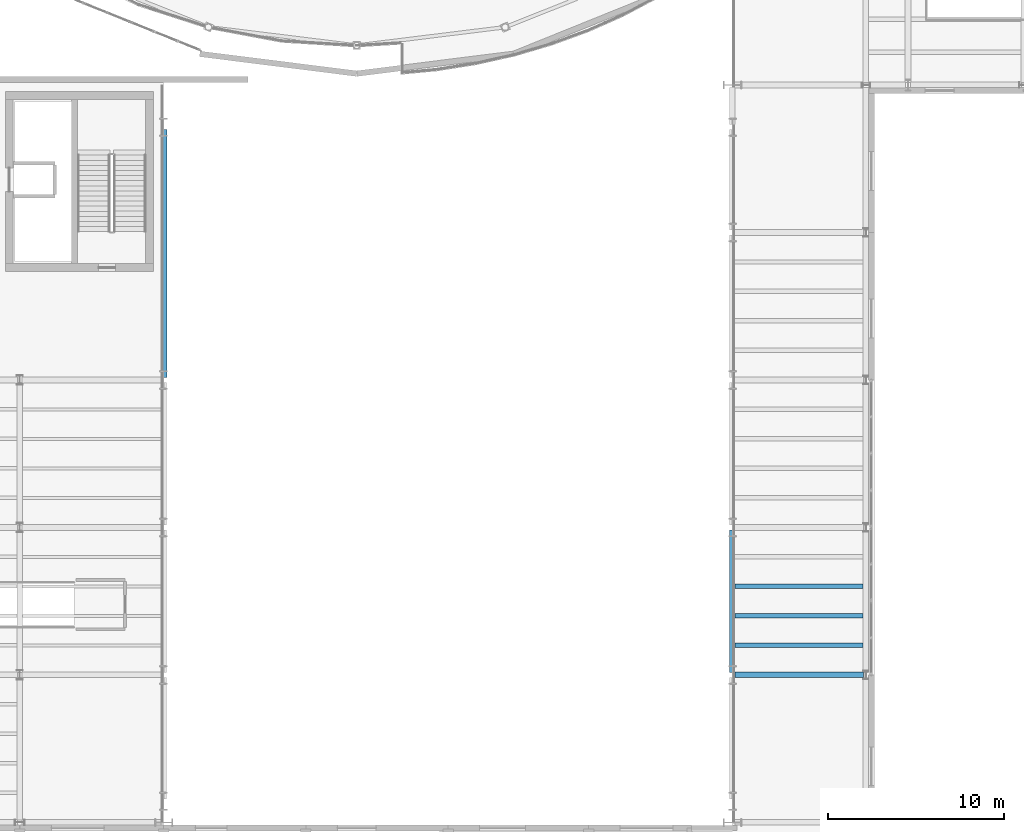
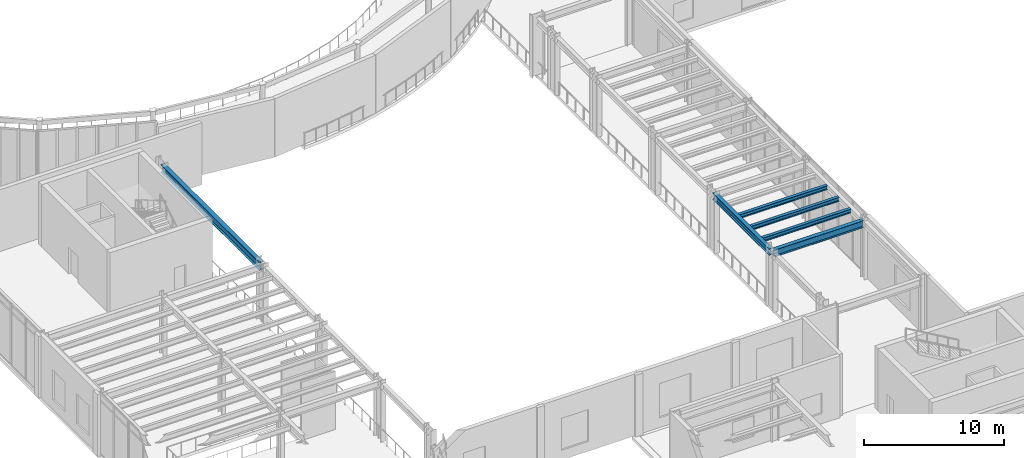
# One storey, part 25 of 98: 6 beams.
"""IFC4 building model written with IfcOpenShell, lengths in metres."""

from ifc_helpers import new_model, si_unit, direction, frame, origin, origin_2d, place, context, subcontext, project, spatial, i_section, extrude, material, material_profile, profile_set, type_object, element, save


model = new_model("IFC4")

# Units and contexts
model_context = context("Model", 3, precision=1e-05, world=origin(), true_north=direction((0.0, 1.0)))
body_context = subcontext(model_context, "Body", "Model", "MODEL_VIEW")
ifc_project = project(units=[si_unit("LENGTHUNIT", "METRE"), si_unit("AREAUNIT", "SQUARE_METRE"), si_unit("VOLUMEUNIT", "CUBIC_METRE"), si_unit("PLANEANGLEUNIT", "RADIAN"), si_unit("MASSUNIT", "GRAM", prefix="KILO")], contexts=[model_context])

# Site, building, storey
site_placement = place(None, origin())
site = spatial("IfcSite", under=ifc_project, at=site_placement, CompositionType="ELEMENT")
building_placement = place(site_placement, origin())
building = spatial("IfcBuilding", under=site, at=building_placement, Name="Sollismere Congress Hotel", CompositionType="ELEMENT")
storey_placement = place(building_placement, frame((0.0, 0.0, 5.39990234375)))
storey = spatial("IfcBuildingStorey", under=building, at=storey_placement, Name="L01", CompositionType="ELEMENT", Elevation=5.39990234375)

# Beams
ifc_material = material(Name="Steel ASTM A992 Grade 50", Category="steel")
ifc_material_profile_1 = material_profile(ifc_material, i_section(OverallWidth=0.31494140625, OverallDepth=0.551025390625, WebThickness=0.01513671875, FlangeThickness=0.0244140625, at=origin_2d()), Name="W21X122")
ifc_profile_set_1 = profile_set([ifc_material_profile_1], Name="Steel ASTM A992 Grade 50")
beam_type_1 = type_object("IfcBeamType", Name="BM-G21H", PredefinedType="BEAM", material=ifc_profile_set_1)
beam_1_placement = place(storey_placement, frame((50.39990234375, 33.340087890625, 4.844482421875), z_axis=(0.0, 1.0, 0.0), x_axis=(-1.0, 0.0, 0.0)))
element("IfcBeam", 1, at=beam_1_placement, inside=storey, type_object=beam_type_1, Name="Beam BM-L01-1641", PredefinedType="BEAM", context=body_context, shape_type="SweptSolid", body=[
    extrude(i_section(OverallWidth=0.31494140625, OverallDepth=0.551025390625, WebThickness=0.01513671875, FlangeThickness=0.0244140625, at=origin_2d()), origin(), (0.0, 0.0, 1.0), 8.119873046875),
])
ifc_material_profile_2 = material_profile(ifc_material, i_section(OverallWidth=0.324951171875, OverallDepth=0.612060546875, WebThickness=0.0126953125, FlangeThickness=0.01904296875, at=origin_2d()), Name="W24X104")
ifc_profile_set_2 = profile_set([ifc_material_profile_2], Name="Steel ASTM A992 Grade 50")
beam_type_2 = type_object("IfcBeamType", Name="BM-G24", PredefinedType="BEAM", material=ifc_profile_set_2)
beam_2_placement = place(storey_placement, frame((50.5400390625, 33.199951171875, 4.814208984375), z_axis=(1.0, 0.0, 0.0), x_axis=(0.0, 1.0, 0.0)))
element("IfcBeam", 2, at=beam_2_placement, inside=storey, type_object=beam_type_2, Name="Beam BM-L01-1565", PredefinedType="BEAM", context=body_context, shape_type="SweptSolid", body=[
    extrude(i_section(OverallWidth=0.324951171875, OverallDepth=0.612060546875, WebThickness=0.0126953125, FlangeThickness=0.01904296875, at=origin_2d()), origin(), (0.0, 0.0, 1.0), 7.320068359375),
])
ifc_material_profile_3 = material_profile(ifc_material, i_section(OverallWidth=0.35595703125, OverallDepth=0.696044921875, WebThickness=0.015380859375, FlangeThickness=0.025146484375, at=origin_2d()), Name="W27X146")
ifc_profile_set_3 = profile_set([ifc_material_profile_3], Name="Steel ASTM A992 Grade 50")
beam_type_3 = type_object("IfcBeamType", Name="BM-G27", PredefinedType="BEAM", material=ifc_profile_set_3)
beam_3_placement = place(storey_placement, frame((18.0, 50.139892578125, 4.772216796875), z_axis=(0.0, 1.0, 0.0), x_axis=(-1.0, 0.0, 0.0)))
element("IfcBeam", 3, at=beam_3_placement, inside=storey, type_object=beam_type_3, Name="Beam BM-L01-1634", PredefinedType="BEAM", context=body_context, shape_type="SweptSolid", body=[
    extrude(i_section(OverallWidth=0.35595703125, OverallDepth=0.696044921875, WebThickness=0.015380859375, FlangeThickness=0.025146484375, at=origin_2d()), origin(), (0.0, 0.0, 1.0), 14.1201171875),
])
ifc_material_profile_4 = material_profile(ifc_material, i_section(OverallWidth=0.25390625, OverallDepth=0.35595703125, WebThickness=0.010498046875, FlangeThickness=0.018310546875, at=origin_2d()), Name="W14X68")
ifc_profile_set_4 = profile_set([ifc_material_profile_4], Name="Steel ASTM A992 Grade 50")
beam_type_4 = type_object("IfcBeamType", Name="BM-J14", PredefinedType="JOIST", material=ifc_profile_set_4)
for number, where, z_axis, x_axis, name in (
    (4, (50.5576171875, 34.8798828125, 4.942138671875), (1.0, 0.0, 0.0), (0.0, 1.0, 0.0), "Beam BM-L01-1759"),
    (5, (50.5576171875, 36.56005859375, 4.942138671875), (1.0, 0.0, 0.0), (0.0, 1.0, 0.0), "Beam BM-L01-1760"),
    (6, (50.5576171875, 38.239990234375, 4.942138671875), (1.0, 0.0, 0.0), (0.0, 1.0, 0.0), "Beam BM-L01-1761"),
):
    element("IfcBeam", number, at=place(storey_placement, frame(where, z_axis=z_axis, x_axis=x_axis)), inside=storey, type_object=beam_type_4, Name=name, PredefinedType="JOIST", context=body_context, shape_type="SweptSolid", body=[
        extrude(i_section(OverallWidth=0.25390625, OverallDepth=0.35595703125, WebThickness=0.010498046875, FlangeThickness=0.018310546875, at=origin_2d()), origin(), (0.0, 0.0, 1.0), 7.284912109375),
    ])

save(model, "model.ifc")
